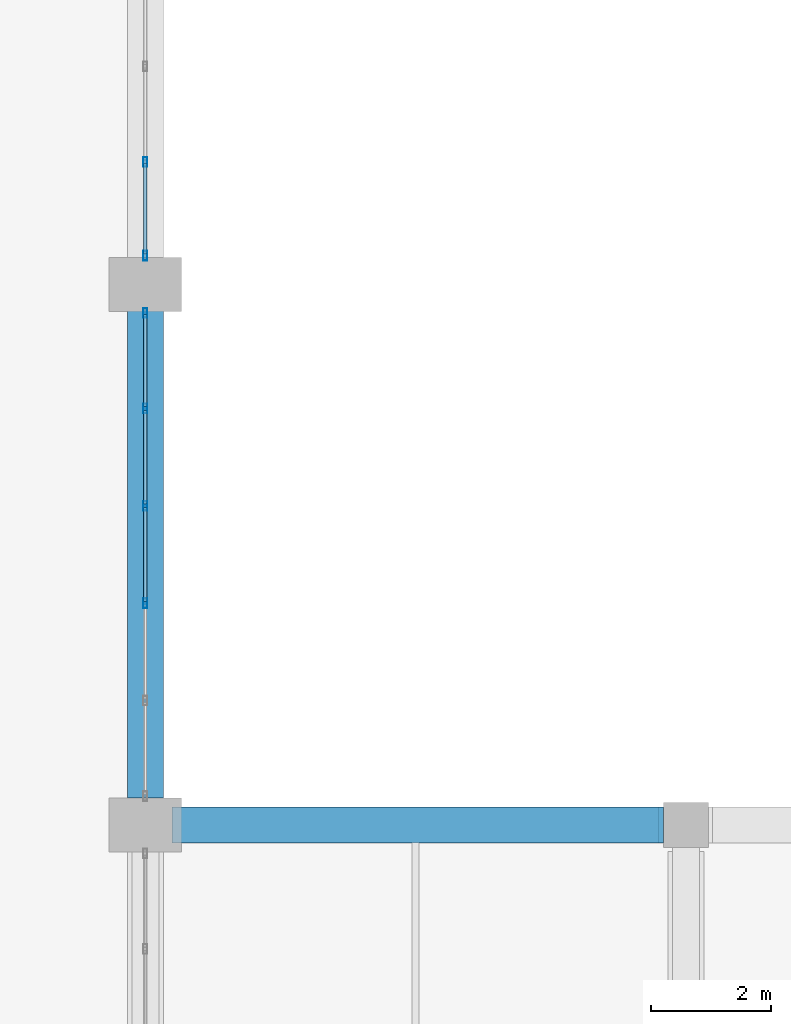
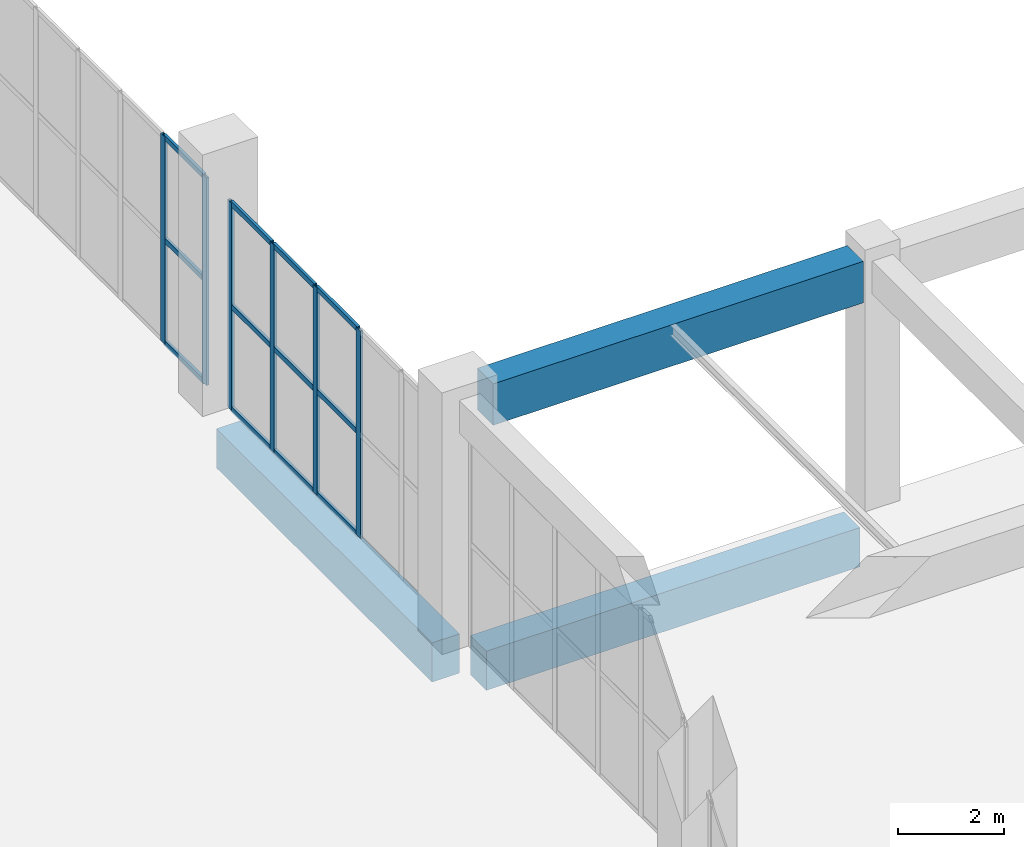
# One storey, part 45 of 91: 18 members, 3 beams, 2 elements without a shape of their own.
"""IFC4 building model written with IfcOpenShell, lengths in metres."""

from ifc_helpers import new_model, si_unit, direction, frame, origin, origin_2d, place, context, subcontext, project, spatial, rectangle, hollow_rectangle, extrude, material, layer, layer_set, material_profile, profile_set, type_object, element, aggregate, save


model = new_model("IFC4")

# Units and contexts
model_context = context("Model", 3, precision=1e-05, world=origin(), true_north=direction((0.0, 1.0)))
body_context = subcontext(model_context, "Body", "Model", "MODEL_VIEW")
ifc_project = project(units=[si_unit("LENGTHUNIT", "METRE"), si_unit("AREAUNIT", "SQUARE_METRE"), si_unit("VOLUMEUNIT", "CUBIC_METRE"), si_unit("PLANEANGLEUNIT", "RADIAN"), si_unit("MASSUNIT", "GRAM", prefix="KILO")], contexts=[model_context])

# Site, building, storey
site_placement = place(None, origin())
site = spatial("IfcSite", under=ifc_project, at=site_placement, CompositionType="ELEMENT")
building_placement = place(site_placement, origin())
building = spatial("IfcBuilding", under=site, at=building_placement, Name="Dornveld Trade and Exhibition Forum", CompositionType="ELEMENT")
storey_placement = place(building_placement, origin())
storey = spatial("IfcBuildingStorey", under=building, at=storey_placement, Name="L00", CompositionType="ELEMENT", Elevation=0.0)

# Beams
ifc_material_1 = material(Name="Concrete C40/50", Category="concrete")
ifc_material_profile_1 = material_profile(ifc_material_1, rectangle(XDim=0.60009765625, YDim=0.89990234375, at=origin_2d()), Name="RC-GB 600x900")
ifc_profile_set_1 = profile_set([ifc_material_profile_1], Name="Concrete C40/50")
beam_type_1 = type_object("IfcBeamType", Name="BM-GB-600x900", PredefinedType="BEAM", material=ifc_profile_set_1)
for number, where, z_axis, x_axis, name in (
    (1, (171.0, 144.446044921875, -0.830078125), (0.0, 1.0, 0.0), (-1.0, 0.0, 0.0), "L00 Y-girder 521"),
    (2, (171.446044921875, 144.0, -0.830078125), (1.0, 0.0, 0.0), (0.0, 1.0, 0.0), "L00 X-girder 542"),
):
    element("IfcBeam", number, at=place(storey_placement, frame(where, z_axis=z_axis, x_axis=x_axis)), inside=storey, type_object=beam_type_1, Name=name, PredefinedType="BEAM", context=body_context, shape_type="SweptSolid", body=[
        extrude(rectangle(XDim=0.60009765625, YDim=0.89990234375, at=origin_2d()), origin(), (0.0, 0.0, 1.0), 8.10791015625),
    ])
ifc_material_2 = material(Name="Precast concrete C50/60", Category="concrete")
ifc_material_profile_2 = material_profile(ifc_material_2, rectangle(XDim=0.60009765625, YDim=0.949951171875, at=origin_2d()), Name="PC-GIR 600x950")
ifc_profile_set_2 = profile_set([ifc_material_profile_2], Name="Precast concrete C50/60")
beam_type_2 = type_object("IfcBeamType", Name="BM-PC-600x950", PredefinedType="T_BEAM", material=ifc_profile_set_2)
beam_placement = place(storey_placement, frame((171.595947265625, 144.0, 5.22509765625), z_axis=(1.0, 0.0, 0.0), x_axis=(0.0, 1.0, 0.0)))
element("IfcBeam", 3, at=beam_placement, inside=storey, type_object=beam_type_2, Name="L00 X-girder 974", PredefinedType="T_BEAM", context=body_context, shape_type="SweptSolid", body=[
    extrude(rectangle(XDim=0.60009765625, YDim=0.949951171875, at=origin_2d()), origin(), (0.0, 0.0, 1.0), 8.032958984375),
])

# Curtain wall, members
ifc_material_3 = material(Name="Dark-bronze anodised aluminium and low-E glass", Category="aluminium")
ifc_layer_1 = layer(ifc_material_3, 0.156982421875)
ifc_layer_set_1 = layer_set([ifc_layer_1], Name="Dark-bronze anodised aluminium and low-E glass")
curtain_wall_type_1 = type_object("IfcCurtainWallType", Name="CW-SYS-05", PredefinedType="USERDEFINED", material=ifc_layer_set_1)
curtain_wall_1_placement = place(storey_placement, origin())
curtain_wall_1 = element("IfcCurtainWall", 4, at=curtain_wall_1_placement, inside=storey, type_object=curtain_wall_type_1, Name="L00 unitised curtain wall 5", ObjectType="UNITISED_CURTAIN_WALL", PredefinedType="USERDEFINED")
ifc_material_4 = material(Name="Dark-bronze anodised aluminium", Category="aluminium")
ifc_material_profile_3 = material_profile(ifc_material_4, hollow_rectangle(XDim=0.06005859375, YDim=0.159912109375, WallThickness=0.00390625, at=origin_2d()), Name="RHS 160x60x4")
ifc_profile_set_3 = profile_set([ifc_material_profile_3], Name="Dark-bronze anodised aluminium")
member_type_1 = type_object("IfcMemberType", Name="CW-MUL-160", PredefinedType="MULLION", material=ifc_profile_set_3)
member_1_placement = place(storey_placement, frame((171.0, 147.689208984375, -0.00390625), z_axis=(0.0, 0.0, 1.0), x_axis=(-1.0, 0.0, 0.0)))
member_1 = element("IfcMember", 5, at=member_1_placement, type_object=member_type_1, Name="CW-05 mullion 3", PredefinedType="MULLION", context=body_context, shape_type="SweptSolid", body=[
    extrude(hollow_rectangle(XDim=0.06005859375, YDim=0.159912109375, WallThickness=0.00390625, at=origin_2d()), origin(), (0.0, 0.0, 1.0), 4.763916015625),
])
member_2_placement = place(storey_placement, frame((171.0, 149.310791015625, -0.00390625), z_axis=(0.0, 0.0, 1.0), x_axis=(-1.0, 0.0, 0.0)))
member_2 = element("IfcMember", 6, at=member_2_placement, type_object=member_type_1, Name="CW-05 mullion 4", PredefinedType="MULLION", context=body_context, shape_type="SweptSolid", body=[
    extrude(hollow_rectangle(XDim=0.06005859375, YDim=0.159912109375, WallThickness=0.00390625, at=origin_2d()), origin(), (0.0, 0.0, 1.0), 4.763916015625),
])
member_3_placement = place(storey_placement, frame((171.0, 150.932373046875, -0.00390625), z_axis=(0.0, 0.0, 1.0), x_axis=(-1.0, 0.0, 0.0)))
member_3 = element("IfcMember", 7, at=member_3_placement, type_object=member_type_1, Name="CW-05 mullion 5", PredefinedType="MULLION", context=body_context, shape_type="SweptSolid", body=[
    extrude(hollow_rectangle(XDim=0.06005859375, YDim=0.159912109375, WallThickness=0.00390625, at=origin_2d()), origin(), (0.0, 0.0, 1.0), 4.763916015625),
])
member_4_placement = place(storey_placement, frame((171.0, 152.52392578125, -0.00390625), z_axis=(0.0, 0.0, 1.0), x_axis=(-1.0, 0.0, 0.0)))
member_4 = element("IfcMember", 8, at=member_4_placement, type_object=member_type_1, Name="CW-05 mullion 6", PredefinedType="MULLION", context=body_context, shape_type="SweptSolid", body=[
    extrude(hollow_rectangle(XDim=0.06005859375, YDim=0.159912109375, WallThickness=0.00390625, at=origin_2d()), origin(), (0.0, 0.0, 1.0), 4.763916015625),
])

ifc_material_5 = material(Name="Dark-bronze anodised aluminium and low-E glass", Category="aluminium")
ifc_layer_2 = layer(ifc_material_5, 0.159912109375)
ifc_layer_set_2 = layer_set([ifc_layer_2], Name="Dark-bronze anodised aluminium and low-E glass")
curtain_wall_type_2 = type_object("IfcCurtainWallType", Name="CW-SYS-06", PredefinedType="USERDEFINED", material=ifc_layer_set_2)
curtain_wall_2_placement = place(storey_placement, origin())
curtain_wall_2 = element("IfcCurtainWall", 9, at=curtain_wall_2_placement, inside=storey, type_object=curtain_wall_type_2, Name="L00 unitised curtain wall 6", ObjectType="UNITISED_CURTAIN_WALL", PredefinedType="USERDEFINED")
member_5_placement = place(storey_placement, frame((171.0, 153.47607421875, -0.00390625), z_axis=(0.0, 0.0, 1.0), x_axis=(-1.0, 0.0, 0.0)))
member_5 = element("IfcMember", 10, at=member_5_placement, type_object=member_type_1, Name="CW-06 mullion 1", PredefinedType="MULLION", context=body_context, shape_type="SweptSolid", body=[
    extrude(hollow_rectangle(XDim=0.06005859375, YDim=0.159912109375, WallThickness=0.00390625, at=origin_2d()), origin(), (0.0, 0.0, 1.0), 4.763916015625),
])
member_6_placement = place(storey_placement, frame((171.0, 155.03759765625, -0.00390625), z_axis=(0.0, 0.0, 1.0), x_axis=(-1.0, 0.0, 0.0)))
member_6 = element("IfcMember", 11, at=member_6_placement, type_object=member_type_1, Name="CW-06 mullion 2", PredefinedType="MULLION", context=body_context, shape_type="SweptSolid", body=[
    extrude(hollow_rectangle(XDim=0.06005859375, YDim=0.159912109375, WallThickness=0.00390625, at=origin_2d()), origin(), (0.0, 0.0, 1.0), 4.763916015625),
])

# Member
ifc_material_6 = material(Name="Dark-bronze anodised aluminium", Category="aluminium")
ifc_material_profile_4 = material_profile(ifc_material_6, hollow_rectangle(XDim=0.06005859375, YDim=0.1201171875, WallThickness=0.00390625, at=origin_2d()), Name="RHS 120x60x4")
ifc_profile_set_4 = profile_set([ifc_material_profile_4], Name="Dark-bronze anodised aluminium")
member_type_2 = type_object("IfcMemberType", Name="CW-TRN-120", PredefinedType="USERDEFINED", material=ifc_profile_set_4)
member_7_placement = place(storey_placement, frame((171.0, 147.71923828125, 0.02587890625), z_axis=(0.0, 1.0, 0.0), x_axis=(-1.0, 0.0, 0.0)))
member_7 = element("IfcMember", 12, at=member_7_placement, type_object=member_type_2, Name="CW-05 transom 3.1", ObjectType="TRANSOM", PredefinedType="USERDEFINED", context=body_context, shape_type="SweptSolid", body=[
    extrude(hollow_rectangle(XDim=0.06005859375, YDim=0.1201171875, WallThickness=0.00390625, at=origin_2d()), origin(), (0.0, 0.0, 1.0), 1.5615234375),
])

member_8_placement = place(storey_placement, frame((171.0, 147.71923828125, 2.3779296875), z_axis=(0.0, 1.0, 0.0), x_axis=(-1.0, 0.0, 0.0)))
member_8 = element("IfcMember", 13, at=member_8_placement, type_object=member_type_2, Name="CW-05 transom 3.2", ObjectType="TRANSOM", PredefinedType="USERDEFINED", context=body_context, shape_type="SweptSolid", body=[
    extrude(hollow_rectangle(XDim=0.06005859375, YDim=0.1201171875, WallThickness=0.00390625, at=origin_2d()), origin(), (0.0, 0.0, 1.0), 1.5615234375),
])

member_9_placement = place(storey_placement, frame((171.0, 147.71923828125, 4.72998046875), z_axis=(0.0, 1.0, 0.0), x_axis=(-1.0, 0.0, 0.0)))
member_9 = element("IfcMember", 14, at=member_9_placement, type_object=member_type_2, Name="CW-05 transom 3.3", ObjectType="TRANSOM", PredefinedType="USERDEFINED", context=body_context, shape_type="SweptSolid", body=[
    extrude(hollow_rectangle(XDim=0.06005859375, YDim=0.1201171875, WallThickness=0.00390625, at=origin_2d()), origin(), (0.0, 0.0, 1.0), 1.5615234375),
])

member_10_placement = place(storey_placement, frame((171.0, 149.3408203125, 0.02587890625), z_axis=(0.0, 1.0, 0.0), x_axis=(-1.0, 0.0, 0.0)))
member_10 = element("IfcMember", 15, at=member_10_placement, type_object=member_type_2, Name="CW-05 transom 4.1", ObjectType="TRANSOM", PredefinedType="USERDEFINED", context=body_context, shape_type="SweptSolid", body=[
    extrude(hollow_rectangle(XDim=0.06005859375, YDim=0.1201171875, WallThickness=0.00390625, at=origin_2d()), origin(), (0.0, 0.0, 1.0), 1.5615234375),
])

member_11_placement = place(storey_placement, frame((171.0, 149.3408203125, 2.3779296875), z_axis=(0.0, 1.0, 0.0), x_axis=(-1.0, 0.0, 0.0)))
member_11 = element("IfcMember", 16, at=member_11_placement, type_object=member_type_2, Name="CW-05 transom 4.2", ObjectType="TRANSOM", PredefinedType="USERDEFINED", context=body_context, shape_type="SweptSolid", body=[
    extrude(hollow_rectangle(XDim=0.06005859375, YDim=0.1201171875, WallThickness=0.00390625, at=origin_2d()), origin(), (0.0, 0.0, 1.0), 1.5615234375),
])

member_12_placement = place(storey_placement, frame((171.0, 149.3408203125, 4.72998046875), z_axis=(0.0, 1.0, 0.0), x_axis=(-1.0, 0.0, 0.0)))
member_12 = element("IfcMember", 17, at=member_12_placement, type_object=member_type_2, Name="CW-05 transom 4.3", ObjectType="TRANSOM", PredefinedType="USERDEFINED", context=body_context, shape_type="SweptSolid", body=[
    extrude(hollow_rectangle(XDim=0.06005859375, YDim=0.1201171875, WallThickness=0.00390625, at=origin_2d()), origin(), (0.0, 0.0, 1.0), 1.5615234375),
])

member_13_placement = place(storey_placement, frame((171.0, 150.96240234375, 0.02587890625), z_axis=(0.0, 1.0, 0.0), x_axis=(-1.0, 0.0, 0.0)))
member_13 = element("IfcMember", 18, at=member_13_placement, type_object=member_type_2, Name="CW-05 transom 5.1", ObjectType="TRANSOM", PredefinedType="USERDEFINED", context=body_context, shape_type="SweptSolid", body=[
    extrude(hollow_rectangle(XDim=0.06005859375, YDim=0.1201171875, WallThickness=0.00390625, at=origin_2d()), origin(), (0.0, 0.0, 1.0), 1.531494140625),
])

member_14_placement = place(storey_placement, frame((171.0, 150.96240234375, 2.3779296875), z_axis=(0.0, 1.0, 0.0), x_axis=(-1.0, 0.0, 0.0)))
member_14 = element("IfcMember", 19, at=member_14_placement, type_object=member_type_2, Name="CW-05 transom 5.2", ObjectType="TRANSOM", PredefinedType="USERDEFINED", context=body_context, shape_type="SweptSolid", body=[
    extrude(hollow_rectangle(XDim=0.06005859375, YDim=0.1201171875, WallThickness=0.00390625, at=origin_2d()), origin(), (0.0, 0.0, 1.0), 1.531494140625),
])

member_15_placement = place(storey_placement, frame((171.0, 150.96240234375, 4.72998046875), z_axis=(0.0, 1.0, 0.0), x_axis=(-1.0, 0.0, 0.0)))
member_15 = element("IfcMember", 20, at=member_15_placement, type_object=member_type_2, Name="CW-05 transom 5.3", ObjectType="TRANSOM", PredefinedType="USERDEFINED", context=body_context, shape_type="SweptSolid", body=[
    extrude(hollow_rectangle(XDim=0.06005859375, YDim=0.1201171875, WallThickness=0.00390625, at=origin_2d()), origin(), (0.0, 0.0, 1.0), 1.531494140625),
])

aggregate(curtain_wall_1, [member_1, member_2, member_3, member_4, member_7, member_8, member_9, member_10, member_11, member_12, member_13, member_14, member_15])

member_16_placement = place(storey_placement, frame((171.0, 153.506103515625, 0.02587890625), z_axis=(0.0, 1.0, 0.0), x_axis=(-1.0, 0.0, 0.0)))
member_16 = element("IfcMember", 21, at=member_16_placement, type_object=member_type_2, Name="CW-06 transom 1.1", ObjectType="TRANSOM", PredefinedType="USERDEFINED", context=body_context, shape_type="SweptSolid", body=[
    extrude(hollow_rectangle(XDim=0.06005859375, YDim=0.1201171875, WallThickness=0.00390625, at=origin_2d()), origin(), (0.0, 0.0, 1.0), 1.50146484375),
])

member_17_placement = place(storey_placement, frame((171.0, 153.506103515625, 2.3779296875), z_axis=(0.0, 1.0, 0.0), x_axis=(-1.0, 0.0, 0.0)))
member_17 = element("IfcMember", 22, at=member_17_placement, type_object=member_type_2, Name="CW-06 transom 1.2", ObjectType="TRANSOM", PredefinedType="USERDEFINED", context=body_context, shape_type="SweptSolid", body=[
    extrude(hollow_rectangle(XDim=0.06005859375, YDim=0.1201171875, WallThickness=0.00390625, at=origin_2d()), origin(), (0.0, 0.0, 1.0), 1.50146484375),
])

member_18_placement = place(storey_placement, frame((171.0, 153.506103515625, 4.72998046875), z_axis=(0.0, 1.0, 0.0), x_axis=(-1.0, 0.0, 0.0)))
member_18 = element("IfcMember", 23, at=member_18_placement, type_object=member_type_2, Name="CW-06 transom 1.3", ObjectType="TRANSOM", PredefinedType="USERDEFINED", context=body_context, shape_type="SweptSolid", body=[
    extrude(hollow_rectangle(XDim=0.06005859375, YDim=0.1201171875, WallThickness=0.00390625, at=origin_2d()), origin(), (0.0, 0.0, 1.0), 1.50146484375),
])

aggregate(curtain_wall_2, [member_5, member_6, member_16, member_17, member_18])

save(model, "model.ifc")
